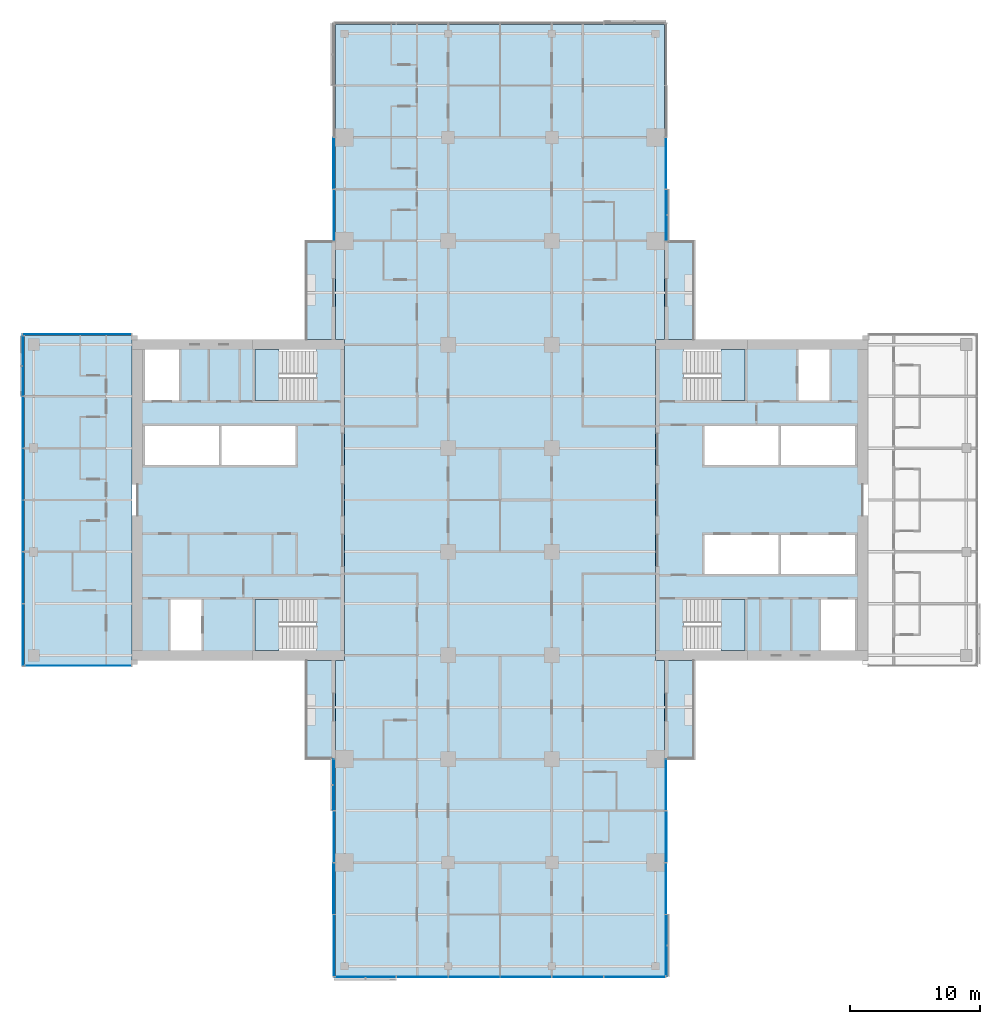
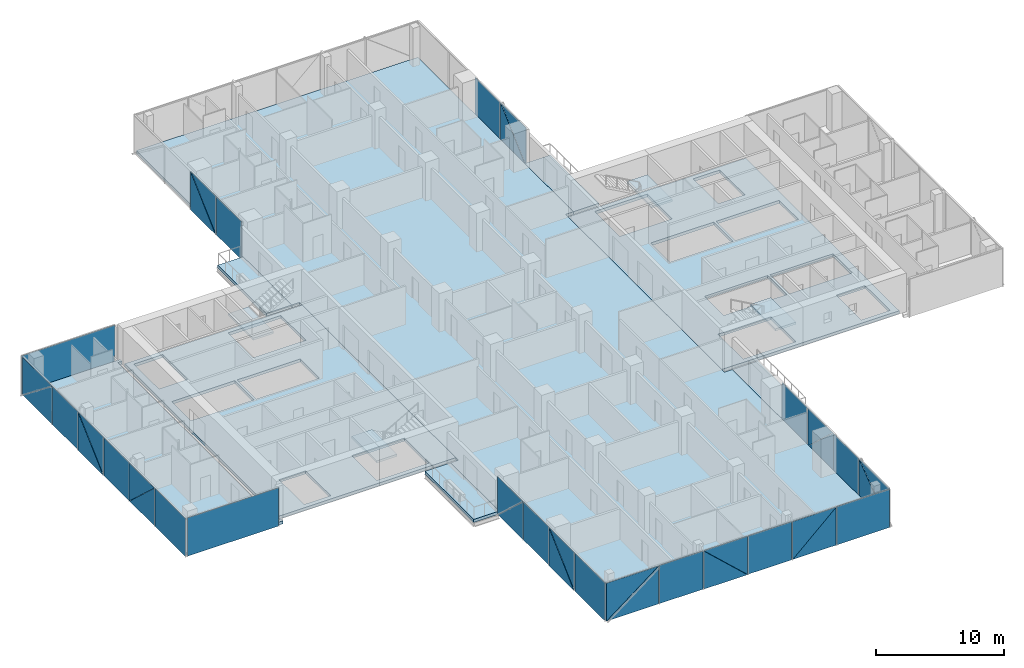
# One storey, part 13 of 27: 38 plates, 12 slabs, 12 elements without a shape of their own.
"""IFC4 building model written with IfcOpenShell, lengths in metres."""

from ifc_helpers import new_model, si_unit, direction, frame, origin, place, context, subcontext, project, spatial, polyline, outline, extrude, material, layer, layer_set, type_object, element, aggregate, save


model = new_model("IFC4")

# Units and contexts
model_context = context("Model", 3, precision=1e-05, world=origin(), true_north=direction((0.0, 1.0)))
body_context = subcontext(model_context, "Body", "Model", "MODEL_VIEW")
ifc_project = project(units=[si_unit("LENGTHUNIT", "METRE"), si_unit("AREAUNIT", "SQUARE_METRE"), si_unit("VOLUMEUNIT", "CUBIC_METRE"), si_unit("PLANEANGLEUNIT", "RADIAN"), si_unit("MASSUNIT", "GRAM", prefix="KILO")], contexts=[model_context])

# Site, building, storey
site_placement = place(None, origin())
site = spatial("IfcSite", under=ifc_project, at=site_placement, CompositionType="ELEMENT")
building_placement = place(site_placement, origin())
building = spatial("IfcBuilding", under=site, at=building_placement, Name="Crosswind Convention Tower", CompositionType="ELEMENT")
storey_placement = place(building_placement, frame((0.0, 0.0, 90.5)))
storey = spatial("IfcBuildingStorey", under=building, at=storey_placement, Name="L17", CompositionType="ELEMENT", Elevation=90.5)

# Slabs
ifc_material_1 = material(Name="Concrete C40/50", Category="concrete")
ifc_layer_1 = layer(ifc_material_1, 0.280029296875)
ifc_layer_set_1 = layer_set([ifc_layer_1], Name="Concrete C40/50")
slab_type_1 = type_object("IfcSlabType", Name="BALCONY SLAB 280", PredefinedType="USERDEFINED", material=ifc_layer_set_1)
slab_1_placement = place(storey_placement, frame((0.0, 0.0, -0.280029296875)))
element("IfcSlab", 1, at=slab_1_placement, inside=storey, type_object=slab_type_1, Name="BALCONY L17 N-E.1-1", ObjectType="BALCONY", PredefinedType="USERDEFINED", context=body_context, shape_type="SweptSolid", body=[
    extrude(outline(polyline([(137.699951171875, 112.39990234375), (137.699951171875, 120.0), (140.0, 120.0), (140.0, 112.39990234375), (137.699951171875, 112.39990234375)])), origin(), (0.0, 0.0, 1.0), 0.280029296875),
])
slab_2_placement = place(storey_placement, frame((0.0, 0.0, -0.280029296875)))
element("IfcSlab", 2, at=slab_2_placement, inside=storey, type_object=slab_type_1, Name="BALCONY L17 N-W.1-3", ObjectType="BALCONY", PredefinedType="USERDEFINED", context=body_context, shape_type="SweptSolid", body=[
    extrude(outline(polyline([(112.300048828125, 120.0), (112.300048828125, 112.39990234375), (110.0, 112.39990234375), (110.0, 120.0), (112.300048828125, 120.0)])), origin(), (0.0, 0.0, 1.0), 0.280029296875),
])
slab_3_placement = place(storey_placement, frame((0.0, 0.0, -0.280029296875)))
element("IfcSlab", 3, at=slab_3_placement, inside=storey, type_object=slab_type_1, Name="BALCONY L17 S-W.1-1", ObjectType="BALCONY", PredefinedType="USERDEFINED", context=body_context, shape_type="SweptSolid", body=[
    extrude(outline(polyline([(112.300048828125, 87.60009765625), (112.300048828125, 80.0), (110.0, 80.0), (110.0, 87.60009765625), (112.300048828125, 87.60009765625)])), origin(), (0.0, 0.0, 1.0), 0.280029296875),
])
slab_4_placement = place(storey_placement, frame((0.0, 0.0, -0.280029296875)))
element("IfcSlab", 4, at=slab_4_placement, inside=storey, type_object=slab_type_1, Name="BALCONY L17 S-E.1-3", ObjectType="BALCONY", PredefinedType="USERDEFINED", context=body_context, shape_type="SweptSolid", body=[
    extrude(outline(polyline([(137.699951171875, 80.0), (137.699951171875, 87.60009765625), (140.0, 87.60009765625), (140.0, 80.0), (137.699951171875, 80.0)])), origin(), (0.0, 0.0, 1.0), 0.280029296875),
])
ifc_layer_2 = layer(ifc_material_1, 0.280029296875)
ifc_layer_set_2 = layer_set([ifc_layer_2], Name="Concrete C40/50")
slab_type_2 = type_object("IfcSlabType", Name="Composite floor slab 280", PredefinedType="FLOOR", material=ifc_layer_set_2)
slab_5_placement = place(storey_placement, frame((0.0, 0.0, -0.280029296875)))
element("IfcSlab", 5, at=slab_5_placement, inside=storey, type_object=slab_type_2, Name="Floor slab L17 part 1", PredefinedType="FLOOR", context=body_context, shape_type="SweptSolid", body=[
    extrude(outline(polyline([(97.0, 87.300048828125), (89.0, 87.300048828125), (88.300048828125, 87.300048828125), (88.300048828125, 88.0), (88.300048828125, 112.0), (88.300048828125, 112.699951171875), (89.0, 112.699951171875), (97.0, 112.699951171875), (97.0, 112.39990234375), (96.60009765625, 112.39990234375), (96.60009765625, 87.60009765625), (97.0, 87.60009765625), (97.0, 87.300048828125)])), origin(), (0.0, 0.0, 1.0), 0.280029296875),
])
slab_6_placement = place(storey_placement, frame((0.0, 0.0, -0.280029296875)))
element("IfcSlab", 6, at=slab_6_placement, inside=storey, type_object=slab_type_2, Name="Floor slab L17 part 2", PredefinedType="FLOOR", context=body_context, shape_type="SweptSolid", body=[
    extrude(outline(polyline([(112.300048828125, 87.60009765625), (113.0, 87.60009765625), (113.0, 112.39990234375), (112.300048828125, 112.39990234375), (112.300048828125, 136.0), (112.300048828125, 136.699951171875), (113.0, 136.699951171875), (137.0, 136.699951171875), (137.699951171875, 136.699951171875), (137.699951171875, 136.0), (137.699951171875, 112.39990234375), (137.0, 112.39990234375), (137.0, 87.60009765625), (137.699951171875, 87.60009765625), (137.699951171875, 64.0), (137.699951171875, 63.300048828125), (137.0, 63.300048828125), (113.0, 63.300048828125), (112.300048828125, 63.300048828125), (112.300048828125, 64.0), (112.300048828125, 87.60009765625)])), origin(), (0.0, 0.0, 1.0), 0.280029296875),
])
ifc_layer_3 = layer(ifc_material_1, 0.280029296875)
ifc_layer_set_3 = layer_set([ifc_layer_3], Name="Concrete C40/50")
slab_type_3 = type_object("IfcSlabType", Name="Concrete core floor slab 280", PredefinedType="FLOOR", material=ifc_layer_set_3)
slab_7_placement = place(storey_placement, frame((0.0, 0.0, -0.280029296875)))
element("IfcSlab", 7, at=slab_7_placement, inside=storey, type_object=slab_type_3, Name="Core floor slab E L17", PredefinedType="FLOOR", context=body_context, shape_type="SweptSolid", body=[
    extrude(outline(polyline([(137.0, 88.0), (153.0, 88.0), (153.0, 112.0), (137.0, 112.0), (137.0, 88.0)]), holes=[polyline([(146.5, 102.699951171875), (146.5, 105.699951171875), (140.800048828125, 105.699951171875), (140.800048828125, 102.699951171875), (146.5, 102.699951171875)]), polyline([(152.39990234375, 102.699951171875), (152.39990234375, 105.699951171875), (146.699951171875, 105.699951171875), (146.699951171875, 102.699951171875), (152.39990234375, 102.699951171875)]), polyline([(146.5, 94.300048828125), (146.5, 97.300048828125), (140.800048828125, 97.300048828125), (140.800048828125, 94.300048828125), (146.5, 94.300048828125)]), polyline([(152.39990234375, 94.300048828125), (152.39990234375, 97.300048828125), (146.699951171875, 97.300048828125), (146.699951171875, 94.300048828125), (152.39990234375, 94.300048828125)]), polyline([(150.449951171875, 107.699951171875), (150.449951171875, 111.60009765625), (148.050048828125, 111.60009765625), (148.050048828125, 107.699951171875), (150.449951171875, 107.699951171875)]), polyline([(152.39990234375, 88.39990234375), (152.39990234375, 92.300048828125), (149.800048828125, 92.300048828125), (149.800048828125, 88.39990234375), (152.39990234375, 88.39990234375)]), polyline([(143.89990234375, 107.699951171875), (143.89990234375, 111.60009765625), (139.14990234375, 111.60009765625), (139.14990234375, 107.699951171875), (143.89990234375, 107.699951171875)]), polyline([(143.89990234375, 88.39990234375), (143.89990234375, 92.300048828125), (139.14990234375, 92.300048828125), (139.14990234375, 88.39990234375), (143.89990234375, 88.39990234375)])]), origin(), (0.0, 0.0, 1.0), 0.280029296875),
])
slab_8_placement = place(storey_placement, frame((0.0, 0.0, -0.280029296875)))
element("IfcSlab", 8, at=slab_8_placement, inside=storey, type_object=slab_type_3, Name="Core floor slab W L17", PredefinedType="FLOOR", context=body_context, shape_type="SweptSolid", body=[
    extrude(outline(polyline([(97.0, 88.0), (113.0, 88.0), (113.0, 112.0), (97.0, 112.0), (97.0, 88.0)]), holes=[polyline([(109.199951171875, 102.699951171875), (109.199951171875, 105.699951171875), (103.5, 105.699951171875), (103.5, 102.699951171875), (109.199951171875, 102.699951171875)]), polyline([(103.300048828125, 102.699951171875), (103.300048828125, 105.699951171875), (97.60009765625, 105.699951171875), (97.60009765625, 102.699951171875), (103.300048828125, 102.699951171875)]), polyline([(101.949951171875, 88.39990234375), (101.949951171875, 92.300048828125), (99.550048828125, 92.300048828125), (99.550048828125, 88.39990234375), (101.949951171875, 88.39990234375)]), polyline([(100.199951171875, 107.699951171875), (100.199951171875, 111.60009765625), (97.60009765625, 111.60009765625), (97.60009765625, 107.699951171875), (100.199951171875, 107.699951171875)]), polyline([(110.85009765625, 88.39990234375), (110.85009765625, 92.300048828125), (106.10009765625, 92.300048828125), (106.10009765625, 88.39990234375), (110.85009765625, 88.39990234375)]), polyline([(110.85009765625, 107.699951171875), (110.85009765625, 111.60009765625), (106.10009765625, 111.60009765625), (106.10009765625, 107.699951171875), (110.85009765625, 107.699951171875)])]), origin(), (0.0, 0.0, 1.0), 0.280029296875),
])

# Stair, slab
stair_type = type_object("IfcStairType", Name="Exit stair 1800 wide, 2 flights of 11 risers", PredefinedType="HALF_TURN_STAIR", material=ifc_material_1)
stair_1_placement = place(storey_placement, origin())
stair_1 = element("IfcStair", 9, at=stair_1_placement, inside=storey, type_object=stair_type, Name="Exit stair ST1 L17", ObjectType="ST5", PredefinedType="HALF_TURN_STAIR")
ifc_layer_4 = layer(ifc_material_1, 0.199951171875)
ifc_layer_set_4 = layer_set([ifc_layer_4], Name="Concrete C40/50")
slab_type_4 = type_object("IfcSlabType", Name="Stair landing 200", PredefinedType="LANDING", material=ifc_layer_set_4)
slab_9_placement = place(storey_placement, frame((0.0, 0.0, 1.64990234375)))
slab_9 = element("IfcSlab", 10, at=slab_9_placement, type_object=slab_type_4, Name="ST1 landing 1", PredefinedType="LANDING", context=body_context, shape_type="SweptSolid", body=[
    extrude(outline(polyline([(143.89990234375, 107.699951171875), (143.89990234375, 111.60009765625), (142.050048828125, 111.60009765625), (142.050048828125, 107.699951171875), (143.89990234375, 107.699951171875)])), origin(), (0.0, 0.0, 1.0), 0.2001953125),
])
aggregate(stair_1, [slab_9])

stair_2_placement = place(storey_placement, origin())
stair_2 = element("IfcStair", 11, at=stair_2_placement, inside=storey, type_object=stair_type, Name="Exit stair ST2 L17", ObjectType="ST5", PredefinedType="HALF_TURN_STAIR")
slab_10_placement = place(storey_placement, frame((0.0, 0.0, 1.64990234375)))
slab_10 = element("IfcSlab", 12, at=slab_10_placement, type_object=slab_type_4, Name="ST2 landing 1", PredefinedType="LANDING", context=body_context, shape_type="SweptSolid", body=[
    extrude(outline(polyline([(143.89990234375, 88.39990234375), (143.89990234375, 92.300048828125), (142.050048828125, 92.300048828125), (142.050048828125, 88.39990234375), (143.89990234375, 88.39990234375)])), origin(), (0.0, 0.0, 1.0), 0.2001953125),
])
aggregate(stair_2, [slab_10])

stair_3_placement = place(storey_placement, origin())
stair_3 = element("IfcStair", 13, at=stair_3_placement, inside=storey, type_object=stair_type, Name="Exit stair ST3 L17", ObjectType="ST5", PredefinedType="HALF_TURN_STAIR")
slab_11_placement = place(storey_placement, frame((0.0, 0.0, 1.64990234375)))
slab_11 = element("IfcSlab", 14, at=slab_11_placement, type_object=slab_type_4, Name="ST3 landing 1", PredefinedType="LANDING", context=body_context, shape_type="SweptSolid", body=[
    extrude(outline(polyline([(107.949951171875, 88.39990234375), (107.949951171875, 92.300048828125), (106.10009765625, 92.300048828125), (106.10009765625, 88.39990234375), (107.949951171875, 88.39990234375)])), origin(), (0.0, 0.0, 1.0), 0.2001953125),
])
aggregate(stair_3, [slab_11])

stair_4_placement = place(storey_placement, origin())
stair_4 = element("IfcStair", 15, at=stair_4_placement, inside=storey, type_object=stair_type, Name="Exit stair ST4 L17", ObjectType="ST5", PredefinedType="HALF_TURN_STAIR")
slab_12_placement = place(storey_placement, frame((0.0, 0.0, 1.64990234375)))
slab_12 = element("IfcSlab", 16, at=slab_12_placement, type_object=slab_type_4, Name="ST4 landing 1", PredefinedType="LANDING", context=body_context, shape_type="SweptSolid", body=[
    extrude(outline(polyline([(107.949951171875, 107.699951171875), (107.949951171875, 111.60009765625), (106.10009765625, 111.60009765625), (106.10009765625, 107.699951171875), (107.949951171875, 107.699951171875)])), origin(), (0.0, 0.0, 1.0), 0.2001953125),
])
aggregate(stair_4, [slab_12])

# Curtain wall, plate
ifc_material_2 = material(Name="Aluminium unitised curtain wall", Category="aluminium")
curtain_wall_type_1 = type_object("IfcCurtainWallType", Name="CORE END SLOT WALL 160", PredefinedType="USERDEFINED", material=ifc_material_2)
curtain_wall_1_placement = place(storey_placement, origin())
curtain_wall_1 = element("IfcCurtainWall", 17, at=curtain_wall_1_placement, inside=storey, type_object=curtain_wall_type_1, Name="CW6 L17 W-N.2-1 slot", ObjectType="UNITISED", PredefinedType="USERDEFINED")
ifc_material_3 = material(Name="Laminated insulating glass unit", Category="glass")
ifc_layer_5 = layer(ifc_material_3, 0.02587890625)
ifc_layer_set_5 = layer_set([ifc_layer_5], Name="TRIANGULAR GLASS PANEL 26")
plate_type_1 = type_object("IfcPlateType", Name="TRIANGULAR GLASS PANEL 26", PredefinedType="CURTAIN_PANEL", material=ifc_layer_set_5)
plate_1_placement = place(storey_placement, frame((96.550048828125, 112.806640625, -0.280029296875), z_axis=(0.0, 0.999999919475, 0.000401310917), x_axis=(-1.0, 0.0, 0.0)))
plate_1 = element("IfcPlate", 18, at=plate_1_placement, type_object=plate_type_1, Name="CW6 panel 1.1", PredefinedType="CURTAIN_PANEL", context=body_context, shape_type="SweptSolid", body=[
    extrude(outline(polyline([(0.0, 0.0), (8.400146484375, 0.0), (8.400146484375, 3.6501467783039057), (0.0, 3.6501467783039057), (0.0, 0.0)])), origin(), (0.0, 0.0, -1.0), 0.02587890625),
])
aggregate(curtain_wall_1, [plate_1])

curtain_wall_2_placement = place(storey_placement, origin())
curtain_wall_2 = element("IfcCurtainWall", 19, at=curtain_wall_2_placement, inside=storey, type_object=curtain_wall_type_1, Name="CW6 L17 W-S.1-1 slot", ObjectType="UNITISED", PredefinedType="USERDEFINED")
plate_2_placement = place(storey_placement, frame((88.35009765625, 87.193359375, -0.280029296875), z_axis=(0.0, -0.999999919475, 0.000401310917), x_axis=(1.0, 0.0, 0.0)))
plate_2 = element("IfcPlate", 20, at=plate_2_placement, type_object=plate_type_1, Name="CW6 panel 1.1", PredefinedType="CURTAIN_PANEL", context=body_context, shape_type="SweptSolid", body=[
    extrude(outline(polyline([(0.0, 0.0), (8.199951171875, 0.0), (8.199951171875, 3.650146778303906), (0.0, 3.650146778303906), (0.0, 0.0)])), origin(), (0.0, 0.0, -1.0), 0.02587890625),
])
aggregate(curtain_wall_2, [plate_2])

# Curtain wall, plates
curtain_wall_type_2 = type_object("IfcCurtainWallType", Name="HOTEL UNITISED WALL 200", PredefinedType="USERDEFINED", material=ifc_material_2)
curtain_wall_3_placement = place(storey_placement, origin())
curtain_wall_3 = element("IfcCurtainWall", 21, at=curtain_wall_3_placement, inside=storey, type_object=curtain_wall_type_2, Name="CW2 L17 N-E 1", ObjectType="UNITISED", PredefinedType="USERDEFINED")
ifc_layer_6 = layer(ifc_material_3, 0.028076171875)
ifc_layer_set_6 = layer_set([ifc_layer_6], Name="TRIANGULAR GLASS PANEL 28")
plate_type_2 = type_object("IfcPlateType", Name="TRIANGULAR GLASS PANEL 28", PredefinedType="CURTAIN_PANEL", material=ifc_layer_set_6)
plate_3_placement = place(storey_placement, frame((137.82861328125, 123.967529296875, -0.280029296875), z_axis=(0.999999943186, 0.0, 0.000337086208), x_axis=(-0.000337086208, 0.0, 0.999999943186)))
plate_3 = element("IfcPlate", 22, at=plate_3_placement, type_object=plate_type_2, Name="CW2 panel 1.1", PredefinedType="CURTAIN_PANEL", context=body_context, shape_type="SweptSolid", body=[
    extrude(outline(polyline([(0.0, 0.0), (3.6213380963660997, 0.0), (0.0, 3.920410156250001), (0.0, 0.0)])), origin(), (0.0, 0.0, -1.0), 0.028076171875),
])
plate_4_placement = place(storey_placement, frame((137.857177734375, 120.032470703125, 3.35498046875), z_axis=(0.999999918188, 0.0, 0.000404503439), x_axis=(0.000404503439, 0.0, -0.999999918188)))
plate_4 = element("IfcPlate", 23, at=plate_4_placement, type_object=plate_type_2, Name="CW2 panel 1.2", PredefinedType="CURTAIN_PANEL", context=body_context, shape_type="SweptSolid", body=[
    extrude(outline(polyline([(0.0, 0.0), (3.6213381868921797, 0.0), (0.0, 3.92041015625), (0.0, 0.0)])), origin(), (0.0, 0.0, -1.0), 0.028076171875),
])
plate_5_placement = place(storey_placement, frame((137.82861328125, 124.032470703125, -0.280029296875), z_axis=(0.999999943613, 0.0, 0.00033581837), x_axis=(0.0, 1.0, 0.0)))
plate_5 = element("IfcPlate", 24, at=plate_5_placement, type_object=plate_type_2, Name="CW2 panel 2.1", PredefinedType="CURTAIN_PANEL", context=body_context, shape_type="SweptSolid", body=[
    extrude(outline(polyline([(0.0, 0.0), (3.93505859375, 0.0), (3.93505859375, 3.635009970592273), (0.0, 3.635009970592273), (0.0, 0.0)])), origin(), (0.0, 0.0, -1.0), 0.028076171875),
])
aggregate(curtain_wall_3, [plate_3, plate_4, plate_5])

curtain_wall_4_placement = place(storey_placement, origin())
curtain_wall_4 = element("IfcCurtainWall", 25, at=curtain_wall_4_placement, inside=storey, type_object=curtain_wall_type_2, Name="CW2 L17 N-W 1", ObjectType="UNITISED", PredefinedType="USERDEFINED")
plate_6_placement = place(storey_placement, frame((112.172607421875, 124.032470703125, 3.35498046875), z_axis=(-0.999999943186, 0.0, 0.000337086208), x_axis=(0.0, 1.0, 0.0)))
plate_6 = element("IfcPlate", 26, at=plate_6_placement, type_object=plate_type_2, Name="CW2 panel 3.1", PredefinedType="CURTAIN_PANEL", context=body_context, shape_type="SweptSolid", body=[
    extrude(outline(polyline([(0.0, 0.0), (3.92041015625, 0.0), (0.0, 3.6213380963660997), (0.0, 0.0)])), origin(), (0.0, 0.0, -1.0), 0.028076171875),
])
plate_7_placement = place(storey_placement, frame((112.141357421875, 127.967529296875, -0.280029296875), z_axis=(-0.999999918188, 0.0, 0.000404503439), x_axis=(0.0, -1.0, 0.0)))
plate_7 = element("IfcPlate", 27, at=plate_7_placement, type_object=plate_type_2, Name="CW2 panel 3.2", PredefinedType="CURTAIN_PANEL", context=body_context, shape_type="SweptSolid", body=[
    extrude(outline(polyline([(0.0, 0.0), (3.92041015625, 0.0), (0.0, 3.6213381868921792), (0.0, 0.0)])), origin(), (0.0, 0.0, -1.0), 0.028076171875),
])
plate_8_placement = place(storey_placement, frame((112.17138671875, 123.967529296875, -0.280029296875), z_axis=(-0.999999943613, 0.0, 0.00033581837), x_axis=(0.0, -1.0, 0.0)))
plate_8 = element("IfcPlate", 28, at=plate_8_placement, type_object=plate_type_2, Name="CW2 panel 4.1", PredefinedType="CURTAIN_PANEL", context=body_context, shape_type="SweptSolid", body=[
    extrude(outline(polyline([(0.0, 0.0), (3.93505859375, 0.0), (3.93505859375, 3.635009970592273), (0.0, 3.635009970592273), (0.0, 0.0)])), origin(), (0.0, 0.0, -1.0), 0.028076171875),
])
aggregate(curtain_wall_4, [plate_6, plate_7, plate_8])

curtain_wall_5_placement = place(storey_placement, origin())
curtain_wall_5 = element("IfcCurtainWall", 29, at=curtain_wall_5_placement, inside=storey, type_object=curtain_wall_type_2, Name="CW2 L17 W-TIP 1", ObjectType="UNITISED", PredefinedType="USERDEFINED")
plate_9_placement = place(storey_placement, frame((88.17138671875, 108.032470703125, -0.280029296875), z_axis=(-0.999999943217, 0.0, 0.00033699533), x_axis=(0.00033699533, 0.0, 0.999999943217)))
plate_9 = element("IfcPlate", 30, at=plate_9_placement, type_object=plate_type_2, Name="CW2 panel 1.1", PredefinedType="CURTAIN_PANEL", context=body_context, shape_type="SweptSolid", body=[
    extrude(outline(polyline([(0.0, 0.0), (3.6223146588106325, 0.0), (0.0, 4.58642578125), (0.0, 0.0)])), origin(), (0.0, 0.0, -1.0), 0.028076171875),
])
plate_10_placement = place(storey_placement, frame((88.142822265625, 112.635009765625, 3.35498046875), z_axis=(-0.999999918233, 0.0, 0.000404394386), x_axis=(-0.000404394386, 0.0, -0.999999918233)))
plate_10 = element("IfcPlate", 31, at=plate_10_placement, type_object=plate_type_2, Name="CW2 panel 1.2", PredefinedType="CURTAIN_PANEL", context=body_context, shape_type="SweptSolid", body=[
    extrude(outline(polyline([(0.0, 0.0), (3.6223147493123067, 0.0), (0.0, 4.58642578125), (0.0, 0.0)])), origin(), (0.0, 0.0, -1.0), 0.028076171875),
])
plate_11_placement = place(storey_placement, frame((88.17138671875, 107.967529296875, -0.280029296875), z_axis=(-0.999999943613, 0.0, 0.00033581837), x_axis=(0.0, -1.0, 0.0)))
plate_11 = element("IfcPlate", 32, at=plate_11_placement, type_object=plate_type_2, Name="CW2 panel 2.1", PredefinedType="CURTAIN_PANEL", context=body_context, shape_type="SweptSolid", body=[
    extrude(outline(polyline([(0.0, 0.0), (3.93505859375, 0.0), (3.93505859375, 3.635009970592273), (0.0, 3.635009970592273), (0.0, 0.0)])), origin(), (0.0, 0.0, -1.0), 0.028076171875),
])
plate_12_placement = place(storey_placement, frame((88.172607421875, 100.032470703125, 3.35498046875), z_axis=(-0.999999943186, 0.0, 0.000337086208), x_axis=(0.0, 1.0, 0.0)))
plate_12 = element("IfcPlate", 33, at=plate_12_placement, type_object=plate_type_2, Name="CW2 panel 3.1", PredefinedType="CURTAIN_PANEL", context=body_context, shape_type="SweptSolid", body=[
    extrude(outline(polyline([(0.0, 0.0), (3.92041015625, 0.0), (0.0, 3.6213380963660997), (0.0, 0.0)])), origin(), (0.0, 0.0, -1.0), 0.028076171875),
])
plate_13_placement = place(storey_placement, frame((88.141357421875, 103.967529296875, -0.280029296875), z_axis=(-0.999999918188, 0.0, 0.000404503439), x_axis=(0.0, -1.0, 0.0)))
plate_13 = element("IfcPlate", 34, at=plate_13_placement, type_object=plate_type_2, Name="CW2 panel 3.2", PredefinedType="CURTAIN_PANEL", context=body_context, shape_type="SweptSolid", body=[
    extrude(outline(polyline([(0.0, 0.0), (3.92041015625, 0.0), (0.0, 3.6213381868921792), (0.0, 0.0)])), origin(), (0.0, 0.0, -1.0), 0.028076171875),
])
plate_14_placement = place(storey_placement, frame((88.17138671875, 99.967529296875, -0.280029296875), z_axis=(-0.999999943613, 0.0, 0.00033581837), x_axis=(0.0, -1.0, 0.0)))
plate_14 = element("IfcPlate", 35, at=plate_14_placement, type_object=plate_type_2, Name="CW2 panel 4.1", PredefinedType="CURTAIN_PANEL", context=body_context, shape_type="SweptSolid", body=[
    extrude(outline(polyline([(0.0, 0.0), (3.93505859375, 0.0), (3.93505859375, 3.635009970592273), (0.0, 3.635009970592273), (0.0, 0.0)])), origin(), (0.0, 0.0, -1.0), 0.028076171875),
])
plate_15_placement = place(storey_placement, frame((88.17138671875, 92.032470703125, -0.280029296875), z_axis=(-0.999999943186, 0.0, 0.000337086208), x_axis=(0.000337086208, 0.0, 0.999999943186)))
plate_15 = element("IfcPlate", 36, at=plate_15_placement, type_object=plate_type_2, Name="CW2 panel 5.1", PredefinedType="CURTAIN_PANEL", context=body_context, shape_type="SweptSolid", body=[
    extrude(outline(polyline([(0.0, 0.0), (3.6213380963660997, 0.0), (0.0, 3.920410156250001), (0.0, 0.0)])), origin(), (0.0, 0.0, -1.0), 0.028076171875),
])
plate_16_placement = place(storey_placement, frame((88.142822265625, 95.967529296875, 3.35498046875), z_axis=(-0.999999918188, 0.0, 0.000404503439), x_axis=(-0.000404503439, 0.0, -0.999999918188)))
plate_16 = element("IfcPlate", 37, at=plate_16_placement, type_object=plate_type_2, Name="CW2 panel 5.2", PredefinedType="CURTAIN_PANEL", context=body_context, shape_type="SweptSolid", body=[
    extrude(outline(polyline([(0.0, 0.0), (3.6213381868921797, 0.0), (0.0, 3.92041015625), (0.0, 0.0)])), origin(), (0.0, 0.0, -1.0), 0.028076171875),
])
plate_17_placement = place(storey_placement, frame((88.17138671875, 91.967529296875, -0.280029296875), z_axis=(-0.999999943613, 0.0, 0.00033581837), x_axis=(0.0, -1.0, 0.0)))
plate_17 = element("IfcPlate", 38, at=plate_17_placement, type_object=plate_type_2, Name="CW2 panel 6.1", PredefinedType="CURTAIN_PANEL", context=body_context, shape_type="SweptSolid", body=[
    extrude(outline(polyline([(0.0, 0.0), (4.762451171875, 0.0), (4.762451171875, 3.635009970592273), (0.0, 3.635009970592273), (0.0, 0.0)])), origin(), (0.0, 0.0, -1.0), 0.028076171875),
])
aggregate(curtain_wall_5, [plate_9, plate_10, plate_11, plate_12, plate_13, plate_14, plate_15, plate_16, plate_17])

curtain_wall_6_placement = place(storey_placement, origin())
curtain_wall_6 = element("IfcCurtainWall", 39, at=curtain_wall_6_placement, inside=storey, type_object=curtain_wall_type_2, Name="CW2 L17 S-W 1", ObjectType="UNITISED", PredefinedType="USERDEFINED")
plate_18_placement = place(storey_placement, frame((112.17138671875, 76.032470703125, -0.280029296875), z_axis=(-0.999999943186, 0.0, 0.000337086208), x_axis=(0.000337086208, 0.0, 0.999999943186)))
plate_18 = element("IfcPlate", 40, at=plate_18_placement, type_object=plate_type_2, Name="CW2 panel 1.1", PredefinedType="CURTAIN_PANEL", context=body_context, shape_type="SweptSolid", body=[
    extrude(outline(polyline([(0.0, 0.0), (3.6213380963660997, 0.0), (0.0, 3.920410156250001), (0.0, 0.0)])), origin(), (0.0, 0.0, -1.0), 0.028076171875),
])
plate_19_placement = place(storey_placement, frame((112.142822265625, 79.967529296875, 3.35498046875), z_axis=(-0.999999918188, 0.0, 0.000404503439), x_axis=(-0.000404503439, 0.0, -0.999999918188)))
plate_19 = element("IfcPlate", 41, at=plate_19_placement, type_object=plate_type_2, Name="CW2 panel 1.2", PredefinedType="CURTAIN_PANEL", context=body_context, shape_type="SweptSolid", body=[
    extrude(outline(polyline([(0.0, 0.0), (3.6213381868921797, 0.0), (0.0, 3.92041015625), (0.0, 0.0)])), origin(), (0.0, 0.0, -1.0), 0.028076171875),
])
plate_20_placement = place(storey_placement, frame((112.17138671875, 75.967529296875, -0.280029296875), z_axis=(-0.999999943613, 0.0, 0.00033581837), x_axis=(0.0, -1.0, 0.0)))
plate_20 = element("IfcPlate", 42, at=plate_20_placement, type_object=plate_type_2, Name="CW2 panel 2.1", PredefinedType="CURTAIN_PANEL", context=body_context, shape_type="SweptSolid", body=[
    extrude(outline(polyline([(0.0, 0.0), (3.93505859375, 0.0), (3.93505859375, 3.635009970592273), (0.0, 3.635009970592273), (0.0, 0.0)])), origin(), (0.0, 0.0, -1.0), 0.028076171875),
])
plate_21_placement = place(storey_placement, frame((112.172607421875, 68.032470703125, 3.35498046875), z_axis=(-0.999999943186, 0.0, 0.000337086208), x_axis=(0.0, 1.0, 0.0)))
plate_21 = element("IfcPlate", 43, at=plate_21_placement, type_object=plate_type_2, Name="CW2 panel 3.1", PredefinedType="CURTAIN_PANEL", context=body_context, shape_type="SweptSolid", body=[
    extrude(outline(polyline([(0.0, 0.0), (3.92041015625, 0.0), (0.0, 3.6213380963660997), (0.0, 0.0)])), origin(), (0.0, 0.0, -1.0), 0.028076171875),
])
plate_22_placement = place(storey_placement, frame((112.141357421875, 71.967529296875, -0.280029296875), z_axis=(-0.999999918188, 0.0, 0.000404503439), x_axis=(0.0, -1.0, 0.0)))
plate_22 = element("IfcPlate", 44, at=plate_22_placement, type_object=plate_type_2, Name="CW2 panel 3.2", PredefinedType="CURTAIN_PANEL", context=body_context, shape_type="SweptSolid", body=[
    extrude(outline(polyline([(0.0, 0.0), (3.92041015625, 0.0), (0.0, 3.6213381868921792), (0.0, 0.0)])), origin(), (0.0, 0.0, -1.0), 0.028076171875),
])
plate_23_placement = place(storey_placement, frame((112.17138671875, 67.967529296875, -0.280029296875), z_axis=(-0.999999943613, 0.0, 0.00033581837), x_axis=(0.0, -1.0, 0.0)))
plate_23 = element("IfcPlate", 45, at=plate_23_placement, type_object=plate_type_2, Name="CW2 panel 4.1", PredefinedType="CURTAIN_PANEL", context=body_context, shape_type="SweptSolid", body=[
    extrude(outline(polyline([(0.0, 0.0), (4.735107421875, 0.0), (4.735107421875, 3.6350099705922725), (0.0, 3.6350099705922725), (0.0, 0.0)])), origin(), (0.0, 0.0, -1.0), 0.028076171875),
])
aggregate(curtain_wall_6, [plate_18, plate_19, plate_20, plate_21, plate_22, plate_23])

curtain_wall_7_placement = place(storey_placement, origin())
curtain_wall_7 = element("IfcCurtainWall", 46, at=curtain_wall_7_placement, inside=storey, type_object=curtain_wall_type_2, Name="CW2 L17 S-TIP 1", ObjectType="UNITISED", PredefinedType="USERDEFINED")
plate_24_placement = place(storey_placement, frame((116.967529296875, 63.17138671875, -0.280029296875), z_axis=(0.0, -0.999999943217, 0.00033699533), x_axis=(0.0, 0.00033699533, 0.999999943217)))
plate_24 = element("IfcPlate", 47, at=plate_24_placement, type_object=plate_type_2, Name="CW2 panel 1.1", PredefinedType="CURTAIN_PANEL", context=body_context, shape_type="SweptSolid", body=[
    extrude(outline(polyline([(0.0, 0.0), (3.6223146588106325, 0.0), (0.0, 4.718505859374999), (0.0, 0.0)])), origin(), (0.0, 0.0, -1.0), 0.028076171875),
])
plate_25_placement = place(storey_placement, frame((112.232421875, 63.142822265625, 3.35498046875), z_axis=(0.0, -0.999999918233, 0.000404394386), x_axis=(0.0, -0.000404394386, -0.999999918233)))
plate_25 = element("IfcPlate", 48, at=plate_25_placement, type_object=plate_type_2, Name="CW2 panel 1.2", PredefinedType="CURTAIN_PANEL", context=body_context, shape_type="SweptSolid", body=[
    extrude(outline(polyline([(0.0, 0.0), (3.6223147493123067, 0.0), (0.0, 4.71875), (0.0, 0.0)])), origin(), (0.0, 0.0, -1.0), 0.028076171875),
])
plate_26_placement = place(storey_placement, frame((117.032470703125, 63.17138671875, -0.280029296875), z_axis=(0.0, -0.999999943613, 0.00033581837), x_axis=(1.0, 0.0, 0.0)))
plate_26 = element("IfcPlate", 49, at=plate_26_placement, type_object=plate_type_2, Name="CW2 panel 2.1", PredefinedType="CURTAIN_PANEL", context=body_context, shape_type="SweptSolid", body=[
    extrude(outline(polyline([(0.0, 0.0), (3.93505859375, 0.0), (3.93505859375, 3.635009970592273), (0.0, 3.635009970592273), (0.0, 0.0)])), origin(), (0.0, 0.0, -1.0), 0.028076171875),
])
plate_27_placement = place(storey_placement, frame((124.967529296875, 63.172607421875, 3.35498046875), z_axis=(0.0, -0.999999943186, 0.000337086208), x_axis=(-1.0, 0.0, 0.0)))
plate_27 = element("IfcPlate", 50, at=plate_27_placement, type_object=plate_type_2, Name="CW2 panel 3.1", PredefinedType="CURTAIN_PANEL", context=body_context, shape_type="SweptSolid", body=[
    extrude(outline(polyline([(0.0, 0.0), (3.92041015625, 0.0), (0.0, 3.6213380963660997), (0.0, 0.0)])), origin(), (0.0, 0.0, -1.0), 0.028076171875),
])
plate_28_placement = place(storey_placement, frame((121.032470703125, 63.141357421875, -0.280029296875), z_axis=(0.0, -0.999999918188, 0.000404503439), x_axis=(1.0, 0.0, 0.0)))
plate_28 = element("IfcPlate", 51, at=plate_28_placement, type_object=plate_type_2, Name="CW2 panel 3.2", PredefinedType="CURTAIN_PANEL", context=body_context, shape_type="SweptSolid", body=[
    extrude(outline(polyline([(0.0, 0.0), (3.92041015625, 0.0), (0.0, 3.6213381868921792), (0.0, 0.0)])), origin(), (0.0, 0.0, -1.0), 0.028076171875),
])
plate_29_placement = place(storey_placement, frame((125.032470703125, 63.17138671875, -0.280029296875), z_axis=(0.0, -0.999999943613, 0.00033581837), x_axis=(1.0, 0.0, 0.0)))
plate_29 = element("IfcPlate", 52, at=plate_29_placement, type_object=plate_type_2, Name="CW2 panel 4.1", PredefinedType="CURTAIN_PANEL", context=body_context, shape_type="SweptSolid", body=[
    extrude(outline(polyline([(0.0, 0.0), (3.93505859375, 0.0), (3.93505859375, 3.635009970592273), (0.0, 3.635009970592273), (0.0, 0.0)])), origin(), (0.0, 0.0, -1.0), 0.028076171875),
])
plate_30_placement = place(storey_placement, frame((132.967529296875, 63.17138671875, -0.280029296875), z_axis=(0.0, -0.999999943186, 0.000337086208), x_axis=(0.0, 0.000337086208, 0.999999943186)))
plate_30 = element("IfcPlate", 53, at=plate_30_placement, type_object=plate_type_2, Name="CW2 panel 5.1", PredefinedType="CURTAIN_PANEL", context=body_context, shape_type="SweptSolid", body=[
    extrude(outline(polyline([(0.0, 0.0), (3.6213380963660997, 0.0), (0.0, 3.920410156250001), (0.0, 0.0)])), origin(), (0.0, 0.0, -1.0), 0.028076171875),
])
plate_31_placement = place(storey_placement, frame((129.032470703125, 63.142822265625, 3.35498046875), z_axis=(0.0, -0.999999918188, 0.000404503439), x_axis=(0.0, -0.000404503439, -0.999999918188)))
plate_31 = element("IfcPlate", 54, at=plate_31_placement, type_object=plate_type_2, Name="CW2 panel 5.2", PredefinedType="CURTAIN_PANEL", context=body_context, shape_type="SweptSolid", body=[
    extrude(outline(polyline([(0.0, 0.0), (3.6213381868921797, 0.0), (0.0, 3.92041015625), (0.0, 0.0)])), origin(), (0.0, 0.0, -1.0), 0.028076171875),
])
plate_32_placement = place(storey_placement, frame((133.032470703125, 63.17138671875, -0.280029296875), z_axis=(0.0, -0.999999943613, 0.00033581837), x_axis=(1.0, 0.0, 0.0)))
plate_32 = element("IfcPlate", 55, at=plate_32_placement, type_object=plate_type_2, Name="CW2 panel 6.1", PredefinedType="CURTAIN_PANEL", context=body_context, shape_type="SweptSolid", body=[
    extrude(outline(polyline([(0.0, 0.0), (4.735107421875, 0.0), (4.735107421875, 3.6350099705922725), (0.0, 3.6350099705922725), (0.0, 0.0)])), origin(), (0.0, 0.0, -1.0), 0.028076171875),
])
aggregate(curtain_wall_7, [plate_24, plate_25, plate_26, plate_27, plate_28, plate_29, plate_30, plate_31, plate_32])

curtain_wall_8_placement = place(storey_placement, origin())
curtain_wall_8 = element("IfcCurtainWall", 56, at=curtain_wall_8_placement, inside=storey, type_object=curtain_wall_type_2, Name="CW2 L17 S-E 1", ObjectType="UNITISED", PredefinedType="USERDEFINED")
plate_33_placement = place(storey_placement, frame((137.82861328125, 67.967529296875, -0.280029296875), z_axis=(0.999999943217, 0.0, 0.00033699533), x_axis=(-0.00033699533, 0.0, 0.999999943217)))
plate_33 = element("IfcPlate", 57, at=plate_33_placement, type_object=plate_type_2, Name="CW2 panel 1.1", PredefinedType="CURTAIN_PANEL", context=body_context, shape_type="SweptSolid", body=[
    extrude(outline(polyline([(0.0, 0.0), (3.6223146588106325, 0.0), (0.0, 4.718505859374999), (0.0, 0.0)])), origin(), (0.0, 0.0, -1.0), 0.028076171875),
])
plate_34_placement = place(storey_placement, frame((137.857177734375, 63.232421875, 3.35498046875), z_axis=(0.999999918233, 0.0, 0.000404394386), x_axis=(0.000404394386, 0.0, -0.999999918233)))
plate_34 = element("IfcPlate", 58, at=plate_34_placement, type_object=plate_type_2, Name="CW2 panel 1.2", PredefinedType="CURTAIN_PANEL", context=body_context, shape_type="SweptSolid", body=[
    extrude(outline(polyline([(0.0, 0.0), (3.6223147493123067, 0.0), (0.0, 4.71875), (0.0, 0.0)])), origin(), (0.0, 0.0, -1.0), 0.028076171875),
])
plate_35_placement = place(storey_placement, frame((137.82861328125, 68.032470703125, -0.280029296875), z_axis=(0.999999943613, 0.0, 0.00033581837), x_axis=(0.0, 1.0, 0.0)))
plate_35 = element("IfcPlate", 59, at=plate_35_placement, type_object=plate_type_2, Name="CW2 panel 2.1", PredefinedType="CURTAIN_PANEL", context=body_context, shape_type="SweptSolid", body=[
    extrude(outline(polyline([(0.0, 0.0), (3.93505859375, 0.0), (3.93505859375, 3.635009970592273), (0.0, 3.635009970592273), (0.0, 0.0)])), origin(), (0.0, 0.0, -1.0), 0.028076171875),
])
plate_36_placement = place(storey_placement, frame((137.827392578125, 75.967529296875, 3.35498046875), z_axis=(0.999999943186, 0.0, 0.000337086208), x_axis=(0.0, -1.0, 0.0)))
plate_36 = element("IfcPlate", 60, at=plate_36_placement, type_object=plate_type_2, Name="CW2 panel 3.1", PredefinedType="CURTAIN_PANEL", context=body_context, shape_type="SweptSolid", body=[
    extrude(outline(polyline([(0.0, 0.0), (3.92041015625, 0.0), (0.0, 3.6213380963660997), (0.0, 0.0)])), origin(), (0.0, 0.0, -1.0), 0.028076171875),
])
plate_37_placement = place(storey_placement, frame((137.858642578125, 72.032470703125, -0.280029296875), z_axis=(0.999999918188, 0.0, 0.000404503439), x_axis=(0.0, 1.0, 0.0)))
plate_37 = element("IfcPlate", 61, at=plate_37_placement, type_object=plate_type_2, Name="CW2 panel 3.2", PredefinedType="CURTAIN_PANEL", context=body_context, shape_type="SweptSolid", body=[
    extrude(outline(polyline([(0.0, 0.0), (3.92041015625, 0.0), (0.0, 3.6213381868921792), (0.0, 0.0)])), origin(), (0.0, 0.0, -1.0), 0.028076171875),
])
plate_38_placement = place(storey_placement, frame((137.82861328125, 76.032470703125, -0.280029296875), z_axis=(0.999999943613, 0.0, 0.00033581837), x_axis=(0.0, 1.0, 0.0)))
plate_38 = element("IfcPlate", 62, at=plate_38_placement, type_object=plate_type_2, Name="CW2 panel 4.1", PredefinedType="CURTAIN_PANEL", context=body_context, shape_type="SweptSolid", body=[
    extrude(outline(polyline([(0.0, 0.0), (3.93505859375, 0.0), (3.93505859375, 3.635009970592273), (0.0, 3.635009970592273), (0.0, 0.0)])), origin(), (0.0, 0.0, -1.0), 0.028076171875),
])
aggregate(curtain_wall_8, [plate_33, plate_34, plate_35, plate_36, plate_37, plate_38])

save(model, "model.ifc")
